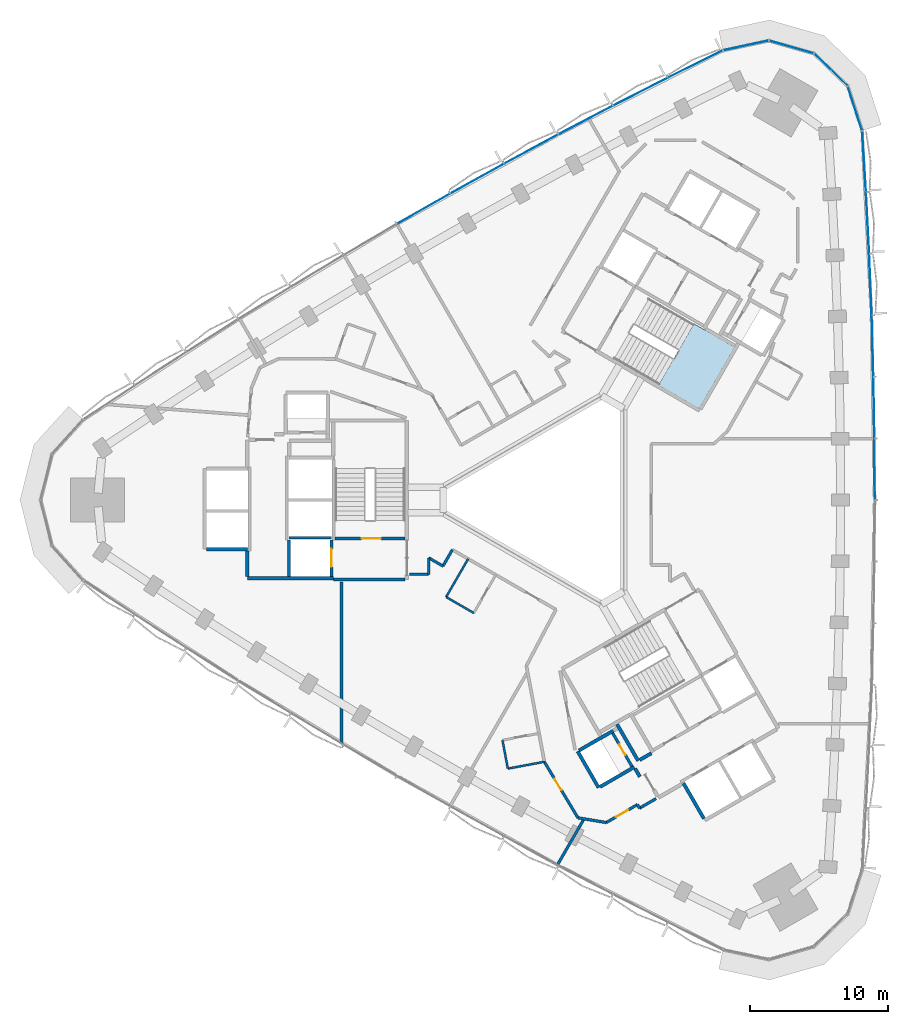
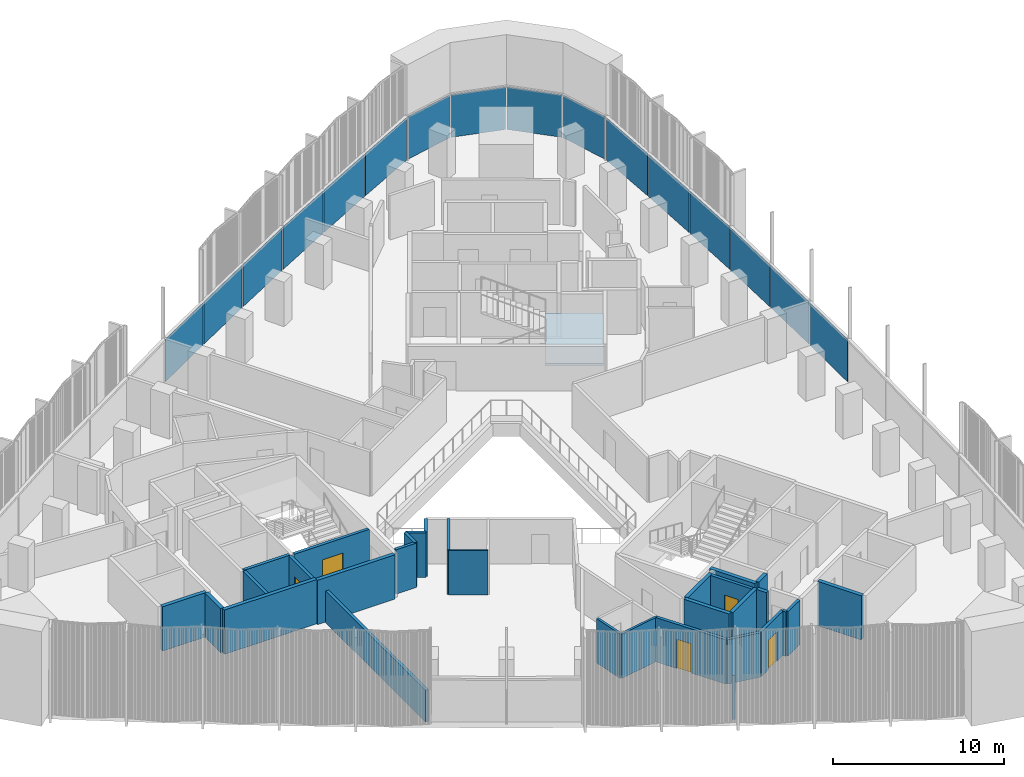
# One storey, part 7 of 15: 31 walls, 16 plates, 5 doors, 1 slab, 5 openings, 3 elements without a shape of their own.
"""IFC4 building model written with IfcOpenShell, lengths in metres."""

from ifc_helpers import new_model, si_unit, direction, frame, frame_2d, origin, origin_2d, place, context, subcontext, project, spatial, polyline, rectangle, outline, extrude, material, layer, layer_set, type_object, element, fill, aggregate, save


model = new_model("IFC4")

# Units and contexts
model_context = context("Model", 3, precision=1e-05, world=origin(), true_north=direction((0.0, 1.0)))
body_context = subcontext(model_context, "Body", "Model", "MODEL_VIEW")
ifc_project = project(units=[si_unit("LENGTHUNIT", "METRE"), si_unit("AREAUNIT", "SQUARE_METRE"), si_unit("VOLUMEUNIT", "CUBIC_METRE"), si_unit("PLANEANGLEUNIT", "RADIAN"), si_unit("MASSUNIT", "GRAM", prefix="KILO")], contexts=[model_context])

# Site, building, storey
site_placement = place(None, origin())
site = spatial("IfcSite", under=ifc_project, at=site_placement, CompositionType="ELEMENT")
building_placement = place(site_placement, origin())
building = spatial("IfcBuilding", under=site, at=building_placement, Name="Tamra Quay Hotel Tower", CompositionType="ELEMENT")
storey_placement = place(building_placement, frame((0.0, 0.0, 101.0)))
storey = spatial("IfcBuildingStorey", under=building, at=storey_placement, Name="L24", CompositionType="ELEMENT", Elevation=101.0)

# Stair, slab
ifc_material_1 = material(Name="Exit stair 2200 24 risers 150.0 going 342")
stair_type = type_object("IfcStairType", Name="Exit stair 2200 24 risers 150.0 going 342", PredefinedType="HALF_TURN_STAIR", material=ifc_material_1)
stair_placement = place(storey_placement, origin())
stair = element("IfcStair", 1, at=stair_placement, inside=storey, type_object=stair_type, Name="L24 Exit stair ST1", PredefinedType="HALF_TURN_STAIR")
ifc_material_2 = material(Name="Concrete M70", Category="concrete")
ifc_layer_1 = layer(ifc_material_2, 0.175048828125)
ifc_layer_set_1 = layer_set([ifc_layer_1], Name="Concrete M70 stair landing 180")
slab_type = type_object("IfcSlabType", Name="Concrete M70 stair landing 180", PredefinedType="LANDING", material=ifc_layer_set_1)
slab_placement = place(storey_placement, frame((0.0, 0.0, 1.625)))
slab = element("IfcSlab", 2, at=slab_placement, type_object=slab_type, Name="ST1 landing 1", PredefinedType="LANDING", context=body_context, shape_type="SweptSolid", body=[
    extrude(outline(polyline([(7.425048828125, 8.336669921875), (10.385009765625, 6.627685546875), (12.964599609375, 11.095458984375), (10.00439453125, 12.804443359375), (7.425048828125, 8.336669921875)])), origin(), (0.0, 0.0, 1.0), 0.175048828125),
])
aggregate(stair, [slab])

# Curtain wall, plates
ifc_material_3 = material(Name="Aluminium 6063 anodised dark grey", Category="aluminium")
curtain_wall_type_1 = type_object("IfcCurtainWallType", Name="CW1 CURTAIN WALL", PredefinedType="NOTDEFINED", material=ifc_material_3)
curtain_wall_1_placement = place(storey_placement, origin())
curtain_wall_1 = element("IfcCurtainWall", 3, at=curtain_wall_1_placement, inside=storey, type_object=curtain_wall_type_1, Name="CW1 east face L24", PredefinedType="NOTDEFINED")
ifc_material_4 = material(Name="Glass clear laminated low-iron", Category="glass")
ifc_layer_2 = layer(ifc_material_4, 0.033935546875)
ifc_layer_set_2 = layer_set([ifc_layer_2], Name="GLASS PANEL CW1 Z2")
plate_type_1 = type_object("IfcPlateType", Name="GLASS PANEL CW1 Z2", PredefinedType="CURTAIN_PANEL", material=ifc_layer_set_2)
plate_1_placement = place(storey_placement, frame((23.132080078125, 2.236572265625, 0.0), z_axis=(0.0, 0.0, 1.0), x_axis=(-0.00571269185, 0.999983682443, 0.0)))
plate_1 = element("IfcPlate", 4, at=plate_1_placement, type_object=plate_type_1, Name="CW1 glass L24.E.7", PredefinedType="CURTAIN_PANEL", context=body_context, shape_type="SweptSolid", body=[
    extrude(rectangle(XDim=4.373291015625, YDim=0.033935546875, at=origin_2d()), origin(), (0.0, 0.0, 1.0), 3.034912109375),
])
plate_2_placement = place(storey_placement, frame((23.080810546875, 6.70947265625, 0.0), z_axis=(0.0, 0.0, 1.0), x_axis=(-0.017133948461, 0.99985320313, 0.0)))
plate_2 = element("IfcPlate", 5, at=plate_2_placement, type_object=plate_type_1, Name="CW1 glass L24.E.8", PredefinedType="CURTAIN_PANEL", context=body_context, shape_type="SweptSolid", body=[
    extrude(rectangle(XDim=4.373291015625, YDim=0.033935546875, at=origin_2d()), origin(), (0.0, 0.0, 1.0), 3.034912109375),
])
plate_3_placement = place(storey_placement, frame((22.978759765625, 11.181396484375, 0.0), z_axis=(0.0, 0.0, 1.0), x_axis=(-0.028546324212, 0.999592470647, 0.0)))
plate_3 = element("IfcPlate", 6, at=plate_3_placement, type_object=plate_type_1, Name="CW1 glass L24.E.9", PredefinedType="CURTAIN_PANEL", context=body_context, shape_type="SweptSolid", body=[
    extrude(rectangle(XDim=4.373291015625, YDim=0.033935546875, at=origin_2d()), origin(), (0.0, 0.0, 1.0), 3.034912109375),
])
plate_4_placement = place(storey_placement, frame((22.825439453125, 15.652099609375, 0.0), z_axis=(0.0, 0.0, 1.0), x_axis=(-0.039943885581, 0.99920192454, 0.0)))
plate_4 = element("IfcPlate", 7, at=plate_4_placement, type_object=plate_type_1, Name="CW1 glass L24.E.10", PredefinedType="CURTAIN_PANEL", context=body_context, shape_type="SweptSolid", body=[
    extrude(rectangle(XDim=4.373291015625, YDim=0.033935546875, at=origin_2d()), origin(), (0.0, 0.0, 1.0), 3.034912109375),
])
plate_5_placement = place(storey_placement, frame((22.621337890625, 20.12060546875, 0.0), z_axis=(0.0, 0.0, 1.0), x_axis=(-0.051320736558, 0.998682222731, 0.0)))
plate_5 = element("IfcPlate", 8, at=plate_5_placement, type_object=plate_type_1, Name="CW1 glass L24.E.11", PredefinedType="CURTAIN_PANEL", context=body_context, shape_type="SweptSolid", body=[
    extrude(rectangle(XDim=4.373291015625, YDim=0.033935546875, at=origin_2d()), origin(), (0.0, 0.0, 1.0), 3.034912109375),
])
plate_6_placement = place(storey_placement, frame((22.366455078125, 24.5859375, 0.0), z_axis=(0.0, 0.0, 1.0), x_axis=(-0.062669917068, 0.998034308776, 0.0)))
plate_6 = element("IfcPlate", 9, at=plate_6_placement, type_object=plate_type_1, Name="CW1 glass L24.E.12", PredefinedType="CURTAIN_PANEL", context=body_context, shape_type="SweptSolid", body=[
    extrude(rectangle(XDim=4.372314453125, YDim=0.033935546875, at=origin_2d()), origin(), (0.0, 0.0, 1.0), 3.034912109375),
])
plate_7_placement = place(storey_placement, frame((21.70166015625, 28.43994140625, 0.0), z_axis=(0.0, 0.0, 1.0), x_axis=(-0.307790863622, 0.951454036867, 0.0)))
plate_7 = element("IfcPlate", 10, at=plate_7_placement, type_object=plate_type_1, Name="CW1 glass L24.E.13", PredefinedType="CURTAIN_PANEL", context=body_context, shape_type="SweptSolid", body=[
    extrude(rectangle(XDim=3.31005859375, YDim=0.033935546875, at=origin_2d()), origin(), (0.0, 0.0, 1.0), 3.034912109375),
])
plate_8_placement = place(storey_placement, frame((19.95068359375, 31.247314453125, 0.0), z_axis=(0.0, 0.0, 1.0), x_axis=(-0.71904127153, 0.694967373217, 0.0)))
plate_8 = element("IfcPlate", 11, at=plate_8_placement, type_object=plate_type_1, Name="CW1 glass L24.E.14", PredefinedType="CURTAIN_PANEL", context=body_context, shape_type="SweptSolid", body=[
    extrude(rectangle(XDim=3.31005859375, YDim=0.033935546875, at=origin_2d()), origin(), (0.0, 0.0, 1.0), 3.034912109375),
])
plate_9_placement = place(storey_placement, frame((17.08544921875, 32.9013671875, 0.0), z_axis=(0.0, 0.0, 1.0), x_axis=(-0.961380035772, 0.275224320906, 0.0)))
plate_9 = element("IfcPlate", 12, at=plate_9_placement, type_object=plate_type_1, Name="CW1 glass L24.E.15", PredefinedType="CURTAIN_PANEL", context=body_context, shape_type="SweptSolid", body=[
    extrude(rectangle(XDim=3.31005859375, YDim=0.033935546875, at=origin_2d()), origin(), (0.0, 0.0, 1.0), 3.034912109375),
])
plate_10_placement = place(storey_placement, frame((13.779052734375, 33.01416015625, 0.0), z_axis=(0.0, 0.0, 1.0), x_axis=(-0.977878798271, -0.209172311484, 0.0)))
plate_10 = element("IfcPlate", 13, at=plate_10_placement, type_object=plate_type_1, Name="CW1 glass L24.E.16", PredefinedType="CURTAIN_PANEL", context=body_context, shape_type="SweptSolid", body=[
    extrude(rectangle(XDim=3.31005859375, YDim=0.033935546875, at=origin_2d()), origin(), (0.0, 0.0, 1.0), 3.034912109375),
])
aggregate(curtain_wall_1, [plate_1, plate_2, plate_3, plate_4, plate_5, plate_6, plate_7, plate_8, plate_9, plate_10])

curtain_wall_type_2 = type_object("IfcCurtainWallType", Name="CW2 CURTAIN WALL", PredefinedType="NOTDEFINED", material=ifc_material_3)
curtain_wall_2_placement = place(storey_placement, origin())
curtain_wall_2 = element("IfcCurtainWall", 14, at=curtain_wall_2_placement, inside=storey, type_object=curtain_wall_type_2, Name="CW2 north-west face L24", PredefinedType="NOTDEFINED")
ifc_layer_3 = layer(ifc_material_4, 0.033935546875)
ifc_layer_set_3 = layer_set([ifc_layer_3], Name="GLASS PANEL CW2 Z2")
plate_type_2 = type_object("IfcPlateType", Name="GLASS PANEL CW2 Z2", PredefinedType="CURTAIN_PANEL", material=ifc_layer_set_3)
plate_11_placement = place(storey_placement, frame((10.10888671875, 31.662841796875, 0.0), z_axis=(0.0, 0.0, 1.0), x_axis=(-0.895658023783, -0.444743414154, 0.0)))
plate_11 = element("IfcPlate", 15, at=plate_11_placement, type_object=plate_type_2, Name="CW2 glass L24.NW.1", PredefinedType="CURTAIN_PANEL", context=body_context, shape_type="SweptSolid", body=[
    extrude(rectangle(XDim=4.372314453125, YDim=0.033935546875, at=origin_2d()), origin(), (0.0, 0.0, 1.0), 3.034912109375),
])
plate_12_placement = place(storey_placement, frame((6.1142578125, 29.65087890625, 0.0), z_axis=(0.0, 0.0, 1.0), x_axis=(-0.890544543472, -0.454896049765, 0.0)))
plate_12 = element("IfcPlate", 16, at=plate_12_placement, type_object=plate_type_2, Name="CW2 glass L24.NW.2", PredefinedType="CURTAIN_PANEL", context=body_context, shape_type="SweptSolid", body=[
    extrude(rectangle(XDim=4.373291015625, YDim=0.033935546875, at=origin_2d()), origin(), (0.0, 0.0, 1.0), 3.034912109375),
])
plate_13_placement = place(storey_placement, frame((2.142333984375, 27.593505859375, 0.0), z_axis=(0.0, 0.0, 1.0), x_axis=(-0.885306192952, -0.465008542631, 0.0)))
plate_13 = element("IfcPlate", 17, at=plate_13_placement, type_object=plate_type_2, Name="CW2 glass L24.NW.3", PredefinedType="CURTAIN_PANEL", context=body_context, shape_type="SweptSolid", body=[
    extrude(rectangle(XDim=4.373291015625, YDim=0.033935546875, at=origin_2d()), origin(), (0.0, 0.0, 1.0), 3.034912109375),
])
plate_14_placement = place(storey_placement, frame((-1.805908203125, 25.490966796875, 0.0), z_axis=(0.0, 0.0, 1.0), x_axis=(-0.879945635118, -0.475074393371, 0.0)))
plate_14 = element("IfcPlate", 18, at=plate_14_placement, type_object=plate_type_2, Name="CW2 glass L24.NW.4", PredefinedType="CURTAIN_PANEL", context=body_context, shape_type="SweptSolid", body=[
    extrude(rectangle(XDim=4.373291015625, YDim=0.033935546875, at=origin_2d()), origin(), (0.0, 0.0, 1.0), 3.034912109375),
])
plate_15_placement = place(storey_placement, frame((-5.729736328125, 23.34326171875, 0.0), z_axis=(0.0, 0.0, 1.0), x_axis=(-0.874465248197, -0.485088166931, 0.0)))
plate_15 = element("IfcPlate", 19, at=plate_15_placement, type_object=plate_type_2, Name="CW2 glass L24.NW.5", PredefinedType="CURTAIN_PANEL", context=body_context, shape_type="SweptSolid", body=[
    extrude(rectangle(XDim=4.373291015625, YDim=0.033935546875, at=origin_2d()), origin(), (0.0, 0.0, 1.0), 3.034912109375),
])
plate_16_placement = place(storey_placement, frame((-9.629150390625, 21.151123046875, 0.0), z_axis=(0.0, 0.0, 1.0), x_axis=(-0.86886761829, -0.495044504955, 0.0)))
plate_16 = element("IfcPlate", 20, at=plate_16_placement, type_object=plate_type_2, Name="CW2 glass L24.NW.6", PredefinedType="CURTAIN_PANEL", context=body_context, shape_type="SweptSolid", body=[
    extrude(rectangle(XDim=4.373291015625, YDim=0.033935546875, at=origin_2d()), origin(), (0.0, 0.0, 1.0), 3.034912109375),
])
aggregate(curtain_wall_2, [plate_11, plate_12, plate_13, plate_14, plate_15, plate_16])

# Wall, opening, door
ifc_layer_4 = layer(ifc_material_2, 0.199951171875)
ifc_layer_set_4 = layer_set([ifc_layer_4], Name="Concrete M70 core wall 200")
wall_type_1 = type_object("IfcWallType", Name="Concrete M70 core wall 200", PredefinedType="SHEAR", material=ifc_layer_set_4)
wall_1_placement = place(storey_placement, frame((-10.96337890625, -2.800048828125, 0.0), z_axis=(0.0, 0.0, 1.0), x_axis=(-1.0, 0.0, 0.0)))
wall_1 = element("IfcWall", 21, at=wall_1_placement, inside=storey, type_object=wall_type_1, Name="CW2", PredefinedType="SHEAR", context=body_context, shape_type="SweptSolid", body=[
    extrude(rectangle(XDim=5.097900390625, YDim=0.199951171875, at=frame_2d((2.548828125, 0.0))), origin(), (0.0, 0.0, 1.0), 3.175048828125),
])
opening_1_placement = place(wall_1_placement, frame((1.77392578125, 0.0, 0.0)))
opening_1 = element("IfcOpeningElement", 22, at=opening_1_placement, cuts=wall_1, Name="Opening FD2", PredefinedType="OPENING", context=body_context, shape_type="SweptSolid", body=[
    extrude(rectangle(XDim=1.39990234375, YDim=2.10009765625, at=frame_2d((0.699951171875, 1.050048828125))), frame((0.0, 0.10986328125, 0.0), z_axis=(0.0, -1.0, 0.0), x_axis=(1.0, 0.0, 0.0)), (0.0, 0.0, 1.0), 0.219970703125),
])
ifc_material_5 = material(Name="Core door FD2 1400x2100 LH")
door_type_1 = type_object("IfcDoorType", Name="Core door FD2 1400x2100 LH", OperationType="NOTDEFINED", PredefinedType="DOOR", material=ifc_material_5)
door_1_placement = place(opening_1_placement, origin())
door_1 = element("IfcDoor", 23, at=door_1_placement, inside=storey, type_object=door_type_1, Name="FD2", OperationType="SINGLE_SWING_LEFT", OverallHeight=2.10009765625, OverallWidth=1.39990234375, PredefinedType="DOOR", context=body_context, shape_type="SweptSolid", body=[
    extrude(rectangle(XDim=1.39990234375, YDim=2.10009765625, at=frame_2d((0.699951171875, 1.050048828125))), frame((0.0, 0.02490234375, 0.0), z_axis=(0.0, -1.0, 0.0), x_axis=(1.0, 0.0, 0.0)), (0.0, 0.0, 1.0), 0.050048828125),
])
fill(opening_1, door_1)

# Wall
wall_2_placement = place(storey_placement, frame((-19.412353515625, -2.75, 0.0), z_axis=(0.0, 0.0, 1.0), x_axis=(1.0, 0.0, 0.0)))
element("IfcWall", 24, at=wall_2_placement, inside=storey, type_object=wall_type_1, Name="CW2", PredefinedType="SHEAR", context=body_context, shape_type="SweptSolid", body=[
    extrude(rectangle(XDim=3.10009765625, YDim=0.199951171875, at=frame_2d((1.550048828125, 0.0))), origin(), (0.0, 0.0, 1.0), 3.175048828125),
])

# Wall, opening, door
wall_3_placement = place(storey_placement, frame((-16.312255859375, -2.898193359375, 0.0), z_axis=(0.0, 0.0, 1.0), x_axis=(0.0, -1.0, 0.0)))
wall_3 = element("IfcWall", 25, at=wall_3_placement, inside=storey, type_object=wall_type_1, Name="CW2", PredefinedType="SHEAR", context=body_context, shape_type="SweptSolid", body=[
    extrude(rectangle(XDim=2.65087890625, YDim=0.199951171875, at=frame_2d((1.325439453125, 0.0))), origin(), (0.0, 0.0, 1.0), 3.175048828125),
])
opening_2_placement = place(wall_3_placement, frame((0.65185546875, 0.0, 0.0)))
opening_2 = element("IfcOpeningElement", 26, at=opening_2_placement, cuts=wall_3, Name="Opening LD", PredefinedType="OPENING", context=body_context, shape_type="SweptSolid", body=[
    extrude(rectangle(XDim=1.300048828125, YDim=2.10009765625, at=frame_2d((0.64990234375, 1.050048828125))), frame((0.0, 0.10986328125, 0.0), z_axis=(0.0, -1.0, 0.0), x_axis=(1.0, 0.0, 0.0)), (0.0, 0.0, 1.0), 0.219970703125),
])
ifc_material_6 = material(Name="Landing door LD 1300 sliding to left")
door_type_2 = type_object("IfcDoorType", Name="Landing door LD 1300 sliding to left", OperationType="NOTDEFINED", PredefinedType="DOOR", material=ifc_material_6)
door_2_placement = place(opening_2_placement, origin())
door_2 = element("IfcDoor", 27, at=door_2_placement, inside=storey, type_object=door_type_2, Name="LD", OperationType="SLIDING_TO_LEFT", OverallHeight=2.10009765625, OverallWidth=1.300048828125, PredefinedType="DOOR", context=body_context, shape_type="SweptSolid", body=[
    extrude(rectangle(XDim=1.300048828125, YDim=2.10009765625, at=frame_2d((0.64990234375, 1.050048828125))), frame((0.0, 0.02490234375, 0.0), z_axis=(0.0, -1.0, 0.0), x_axis=(1.0, 0.0, 0.0)), (0.0, 0.0, 1.0), 0.050048828125),
])
fill(opening_2, door_2)

# Wall
wall_4_placement = place(storey_placement, frame((-19.412353515625, -5.549072265625, 0.0), z_axis=(0.0, 0.0, 1.0), x_axis=(0.0, 1.0, 0.0)))
element("IfcWall", 28, at=wall_4_placement, inside=storey, type_object=wall_type_1, Name="CW2", PredefinedType="SHEAR", context=body_context, shape_type="SweptSolid", body=[
    extrude(rectangle(XDim=2.65087890625, YDim=0.199951171875, at=frame_2d((1.325439453125, 0.0))), origin(), (0.0, 0.0, 1.0), 3.175048828125),
])

# Wall, opening, door
wall_5_placement = place(storey_placement, frame((5.50341796875, -19.352294921875, 0.0), z_axis=(0.0, 0.0, 1.0), x_axis=(-0.499986818241, 0.866033014143, 0.0)))
wall_5 = element("IfcWall", 29, at=wall_5_placement, inside=storey, type_object=wall_type_1, Name="CW2", PredefinedType="SHEAR", context=body_context, shape_type="SweptSolid", body=[
    extrude(rectangle(XDim=2.7978515625, YDim=0.199951171875, at=frame_2d((1.39892578125, 0.0))), origin(), (0.0, 0.0, 1.0), 3.175048828125),
])
opening_3_placement = place(wall_5_placement, frame((0.948974609375, 0.0, 0.0)))
opening_3 = element("IfcOpeningElement", 30, at=opening_3_placement, cuts=wall_5, Name="Opening D1", PredefinedType="OPENING", context=body_context, shape_type="SweptSolid", body=[
    extrude(rectangle(XDim=0.89990234375, YDim=2.10009765625, at=frame_2d((0.449951171875, 1.050048828125))), frame((0.0, 0.10986328125, 0.0), z_axis=(0.0, -1.0, 0.0), x_axis=(1.0, 0.0, 0.0)), (0.0, 0.0, 1.0), 0.219970703125),
])
ifc_material_7 = material(Name="Core door D1 900x2100 LH")
door_type_3 = type_object("IfcDoorType", Name="Core door D1 900x2100 LH", OperationType="NOTDEFINED", PredefinedType="DOOR", material=ifc_material_7)
door_3_placement = place(opening_3_placement, origin())
door_3 = element("IfcDoor", 31, at=door_3_placement, inside=storey, type_object=door_type_3, Name="D1", OperationType="SINGLE_SWING_LEFT", OverallHeight=2.10009765625, OverallWidth=0.89990234375, PredefinedType="DOOR", context=body_context, shape_type="SweptSolid", body=[
    extrude(rectangle(XDim=0.89990234375, YDim=2.10009765625, at=frame_2d((0.449951171875, 1.050048828125))), frame((0.0, 0.02490234375, 0.0), z_axis=(0.0, -1.0, 0.0), x_axis=(1.0, 0.0, 0.0)), (0.0, 0.0, 1.0), 0.050048828125),
])
fill(opening_3, door_3)

# Walls
ifc_layer_5 = layer(ifc_material_2, 0.25)
ifc_layer_set_5 = layer_set([ifc_layer_5], Name="Concrete M70 core wall 250")
wall_type_2 = type_object("IfcWallType", Name="Concrete M70 core wall 250", PredefinedType="SHEAR", material=ifc_layer_set_5)
wall_6_placement = place(storey_placement, frame((-16.187255859375, -5.675048828125, 0.0), z_axis=(0.0, 0.0, 1.0), x_axis=(-1.0, 0.0, 0.0)))
element("IfcWall", 32, at=wall_6_placement, inside=storey, type_object=wall_type_2, Name="CW1", PredefinedType="SHEAR", context=body_context, shape_type="SweptSolid", body=[
    extrude(rectangle(XDim=6.25, YDim=0.25, at=frame_2d((3.125, 0.0))), origin(), (0.0, 0.0, 1.0), 3.175048828125),
])
wall_7_placement = place(storey_placement, frame((-10.962646484375, -5.77490234375, 0.0), z_axis=(0.0, 0.0, 1.0), x_axis=(-1.0, 0.0, 0.0)))
element("IfcWall", 33, at=wall_7_placement, inside=storey, type_object=wall_type_2, Name="CW1", PredefinedType="SHEAR", context=body_context, shape_type="SweptSolid", body=[
    extrude(rectangle(XDim=5.224609375, YDim=0.25, at=frame_2d((2.6123046875, 0.0))), origin(), (0.0, 0.0, 1.0), 3.175048828125),
])
wall_8_placement = place(storey_placement, frame((-22.437255859375, -3.574951171875, 0.0), z_axis=(0.0, 0.0, 1.0), x_axis=(-1.0, 0.0, 0.0)))
element("IfcWall", 34, at=wall_8_placement, inside=storey, type_object=wall_type_2, Name="CW1", PredefinedType="SHEAR", context=body_context, shape_type="SweptSolid", body=[
    extrude(rectangle(XDim=2.974609375, YDim=0.25, at=frame_2d((1.4873046875, 0.0))), origin(), (0.0, 0.0, 1.0), 3.175048828125),
])
wall_9_placement = place(storey_placement, frame((-22.437255859375, -5.549560546875, 0.0), z_axis=(0.0, 0.0, 1.0), x_axis=(0.0, 1.0, 0.0)))
element("IfcWall", 35, at=wall_9_placement, inside=storey, type_object=wall_type_2, Name="CW1", PredefinedType="SHEAR", context=body_context, shape_type="SweptSolid", body=[
    extrude(rectangle(XDim=1.84912109375, YDim=0.25, at=frame_2d((0.924560546875, 0.0))), origin(), (0.0, 0.0, 1.0), 3.175048828125),
])
wall_10_placement = place(storey_placement, frame((10.73583984375, -23.144775390625, 0.0), z_axis=(0.0, 0.0, 1.0), x_axis=(-0.500023226632, 0.866011993467, 0.0)))
element("IfcWall", 36, at=wall_10_placement, inside=storey, type_object=wall_type_2, Name="CW1", PredefinedType="SHEAR", context=body_context, shape_type="SweptSolid", body=[
    extrude(rectangle(XDim=2.974365234375, YDim=0.25, at=frame_2d((1.4873046875, 0.0))), origin(), (0.0, 0.0, 1.0), 3.175048828125),
])
wall_11_placement = place(storey_placement, frame((3.085205078125, -20.893798828125, 0.0), z_axis=(0.0, 0.0, 1.0), x_axis=(-0.499978833458, 0.866037623948, 0.0)))
element("IfcWall", 37, at=wall_11_placement, inside=storey, type_object=wall_type_2, Name="CW1", PredefinedType="SHEAR", context=body_context, shape_type="SweptSolid", body=[
    extrude(rectangle(XDim=3.050048828125, YDim=0.25, at=frame_2d((1.52490234375, 0.0))), origin(), (0.0, 0.0, 1.0), 3.175048828125),
])
wall_12_placement = place(storey_placement, frame((1.6689453125, -18.189697265625, 0.0), z_axis=(0.0, 0.0, 1.0), x_axis=(0.866042235819, 0.499970844928, 0.0)))
element("IfcWall", 38, at=wall_12_placement, inside=storey, type_object=wall_type_2, Name="CW1", PredefinedType="SHEAR", context=body_context, shape_type="SweptSolid", body=[
    extrude(rectangle(XDim=2.864501953125, YDim=0.25, at=frame_2d((1.43212890625, 0.0))), origin(), (0.0, 0.0, 1.0), 3.175048828125),
])
wall_13_placement = place(storey_placement, frame((5.6748046875, -19.39892578125, 0.0), z_axis=(0.0, 0.0, 1.0), x_axis=(-0.866026637627, -0.499997862916, 0.0)))
element("IfcWall", 39, at=wall_13_placement, inside=storey, type_object=wall_type_2, Name="CW1", PredefinedType="SHEAR", context=body_context, shape_type="SweptSolid", body=[
    extrude(rectangle(XDim=2.86474609375, YDim=0.25, at=frame_2d((1.432373046875, 0.0))), origin(), (0.0, 0.0, 1.0), 3.175048828125),
])
wall_14_placement = place(storey_placement, frame((4.414306640625, -16.275634765625, 0.0), z_axis=(0.0, 0.0, 1.0), x_axis=(0.500003324108, -0.866023484601, 0.0)))
element("IfcWall", 40, at=wall_14_placement, inside=storey, type_object=wall_type_2, Name="CW1", PredefinedType="SHEAR", context=body_context, shape_type="SweptSolid", body=[
    extrude(rectangle(XDim=3.0849609375, YDim=0.25, at=frame_2d((1.54248046875, 0.0))), origin(), (0.0, 0.0, 1.0), 3.175048828125),
])
wall_15_placement = place(storey_placement, frame((6.0654296875, -18.884765625, 0.0), z_axis=(0.0, 0.0, 1.0), x_axis=(0.866017078145, 0.500014420154, 0.0)))
element("IfcWall", 41, at=wall_15_placement, inside=storey, type_object=wall_type_2, Name="CW1", PredefinedType="SHEAR", context=body_context, shape_type="SweptSolid", body=[
    extrude(rectangle(XDim=0.9892578125, YDim=0.25, at=frame_2d((0.49462890625, 0.0))), origin(), (0.0, 0.0, 1.0), 3.175048828125),
])
wall_16_placement = place(storey_placement, frame((6.07958984375, -20.100341796875, 0.0), z_axis=(0.0, 0.0, 1.0), x_axis=(-0.500051773299, 0.865995510393, 0.0)))
element("IfcWall", 42, at=wall_16_placement, inside=storey, type_object=wall_type_2, Name="CW1", PredefinedType="SHEAR", context=body_context, shape_type="SweptSolid", body=[
    extrude(rectangle(XDim=0.6845703125, YDim=0.25, at=frame_2d((0.34228515625, 0.0))), origin(), (0.0, 0.0, 1.0), 3.175048828125),
])
ifc_material_8 = material(Name="Partition corridor wall")
ifc_layer_6 = layer(ifc_material_8, 0.199951171875)
ifc_layer_set_6 = layer_set([ifc_layer_6], Name="Partition corridor wall")
wall_type_3 = type_object("IfcWallType", Name="Partition corridor wall", PredefinedType="PARTITIONING", material=ifc_layer_set_6)
wall_17_placement = place(storey_placement, frame((-10.65234375, -5.39990234375, 0.0), z_axis=(0.0, 0.0, 1.0), x_axis=(1.0, 0.0, 0.0)))
element("IfcWall", 43, at=wall_17_placement, inside=storey, type_object=wall_type_3, Name="W-C", PredefinedType="PARTITIONING", context=body_context, shape_type="SweptSolid", body=[
    extrude(rectangle(XDim=1.390380859375, YDim=0.199951171875, at=frame_2d((0.6953125, 0.0))), origin(), (0.0, 0.0, 1.0), 3.175048828125),
])
for number, where, z_axis, x_axis, name in (
    (44, (-9.261962890625, -5.39990234375, 0.0), (0.0, 0.0, 1.0), (0.0, 1.0, 0.0), "W-C"),
    (45, (-9.261962890625, -4.199951171875, 0.0), (0.0, 0.0, 1.0), (0.865955154139, -0.50012165622, 0.0), "W-C"),
):
    element("IfcWall", number, at=place(storey_placement, frame(where, z_axis=z_axis, x_axis=x_axis)), inside=storey, type_object=wall_type_3, Name=name, PredefinedType="PARTITIONING", context=body_context, shape_type="SweptSolid", body=[
        extrude(rectangle(XDim=1.199951171875, YDim=0.199951171875, at=frame_2d((0.60009765625, 0.0))), origin(), (0.0, 0.0, 1.0), 3.175048828125),
    ])
wall_18_placement = place(storey_placement, frame((-8.222900390625, -4.800048828125, 0.0), z_axis=(0.0, 0.0, 1.0), x_axis=(0.499804837697, 0.866138051476, 0.0)))
element("IfcWall", 46, at=wall_18_placement, inside=storey, type_object=wall_type_3, Name="W-C", PredefinedType="PARTITIONING", context=body_context, shape_type="SweptSolid", body=[
    extrude(rectangle(XDim=1.3681640625, YDim=0.199951171875, at=frame_2d((0.68408203125, 0.0))), origin(), (0.0, 0.0, 1.0), 3.175048828125),
])

# Wall, opening, door
wall_19_placement = place(storey_placement, frame((-0.85791015625, -19.01708984375, 0.0), z_axis=(0.0, 0.0, 1.0), x_axis=(0.514586543775, -0.857438446167, 0.0)))
wall_19 = element("IfcWall", 47, at=wall_19_placement, inside=storey, type_object=wall_type_3, Name="W-C", PredefinedType="PARTITIONING", context=body_context, shape_type="SweptSolid", body=[
    extrude(rectangle(XDim=4.745361328125, YDim=0.199951171875, at=frame_2d((2.37255859375, 0.0))), origin(), (0.0, 0.0, 1.0), 3.175048828125),
])
opening_4_placement = place(wall_19_placement, frame((1.445556640625, 0.0, 0.0)))
opening_4 = element("IfcOpeningElement", 48, at=opening_4_placement, cuts=wall_19, Name="Opening L24-D016", PredefinedType="OPENING", context=body_context, shape_type="SweptSolid", body=[
    extrude(rectangle(XDim=0.949951171875, YDim=2.10009765625, at=frame_2d((0.47509765625, 1.050048828125))), frame((0.0, 0.10986328125, 0.0), z_axis=(0.0, -1.0, 0.0), x_axis=(1.0, 0.0, 0.0)), (0.0, 0.0, 1.0), 0.219970703125),
])
ifc_material_9 = material(Name="Door guest room 950x2100")
door_type_4 = type_object("IfcDoorType", Name="Door guest room 950x2100", OperationType="NOTDEFINED", PredefinedType="DOOR", material=ifc_material_9)
door_4_placement = place(opening_4_placement, frame((0.949951171875, 0.0, 0.0), z_axis=(0.0, 0.0, 1.0), x_axis=(-1.0, 0.0, 0.0)))
door_4 = element("IfcDoor", 49, at=door_4_placement, inside=storey, type_object=door_type_4, Name="L24-D016", OperationType="SINGLE_SWING_LEFT", OverallHeight=2.10009765625, OverallWidth=0.949951171875, PredefinedType="DOOR", context=body_context, shape_type="SweptSolid", body=[
    extrude(rectangle(XDim=0.949951171875, YDim=2.10009765625, at=frame_2d((0.47509765625, 1.050048828125))), frame((0.0, 0.02490234375, 0.0), z_axis=(0.0, -1.0, 0.0), x_axis=(1.0, 0.0, 0.0)), (0.0, 0.0, 1.0), 0.050048828125),
])
fill(opening_4, door_4)

# Wall
wall_20_placement = place(storey_placement, frame((1.583984375, -23.0859375, 0.0), z_axis=(0.0, 0.0, 1.0), x_axis=(0.986516952697, -0.163659103145, 0.0)))
element("IfcWall", 50, at=wall_20_placement, inside=storey, type_object=wall_type_3, Name="W-C", PredefinedType="PARTITIONING", context=body_context, shape_type="SweptSolid", body=[
    extrude(rectangle(XDim=2.0869140625, YDim=0.199951171875, at=frame_2d((1.04345703125, 0.0))), origin(), (0.0, 0.0, 1.0), 3.175048828125),
])

# Wall, opening, door
wall_21_placement = place(storey_placement, frame((3.64306640625, -23.426025390625, 0.0), z_axis=(0.0, 0.0, 1.0), x_axis=(0.866654350985, 0.498909045738, 0.0)))
wall_21 = element("IfcWall", 51, at=wall_21_placement, inside=storey, type_object=wall_type_3, Name="W-C", PredefinedType="PARTITIONING", context=body_context, shape_type="SweptSolid", body=[
    extrude(rectangle(XDim=2.607666015625, YDim=0.199951171875, at=frame_2d((1.3037109375, 0.0))), origin(), (0.0, 0.0, 1.0), 3.175048828125),
])
opening_5_placement = place(wall_21_placement, frame((0.803955078125, 0.0, 0.0)))
opening_5 = element("IfcOpeningElement", 52, at=opening_5_placement, cuts=wall_21, Name="Opening L24-D018", PredefinedType="OPENING", context=body_context, shape_type="SweptSolid", body=[
    extrude(rectangle(XDim=1.0, YDim=2.10009765625, at=frame_2d((0.5, 1.050048828125))), frame((0.0, 0.10986328125, 0.0), z_axis=(0.0, -1.0, 0.0), x_axis=(1.0, 0.0, 0.0)), (0.0, 0.0, 1.0), 0.219970703125),
])
ifc_material_10 = material(Name="Door guest room 1000x2100")
door_type_5 = type_object("IfcDoorType", Name="Door guest room 1000x2100", OperationType="NOTDEFINED", PredefinedType="DOOR", material=ifc_material_10)
door_5_placement = place(opening_5_placement, frame((1.0, 0.0, 0.0), z_axis=(0.0, 0.0, 1.0), x_axis=(-1.0, 0.0, 0.0)))
door_5 = element("IfcDoor", 53, at=door_5_placement, inside=storey, type_object=door_type_5, Name="L24-D018", OperationType="SINGLE_SWING_LEFT", OverallHeight=2.10009765625, OverallWidth=1.0, PredefinedType="DOOR", context=body_context, shape_type="SweptSolid", body=[
    extrude(rectangle(XDim=1.0, YDim=2.10009765625, at=frame_2d((0.5, 1.050048828125))), frame((0.0, 0.02490234375, 0.0), z_axis=(0.0, -1.0, 0.0), x_axis=(1.0, 0.0, 0.0)), (0.0, 0.0, 1.0), 0.050048828125),
])
fill(opening_5, door_5)

# Walls
wall_22_placement = place(storey_placement, frame((6.053955078125, -22.385009765625, 0.0), z_axis=(0.0, 0.0, 1.0), x_axis=(0.86593101922, 0.500163443238, 0.0)))
element("IfcWall", 54, at=wall_22_placement, inside=storey, type_object=wall_type_3, Name="W-C", PredefinedType="PARTITIONING", context=body_context, shape_type="SweptSolid", body=[
    extrude(rectangle(XDim=1.3896484375, YDim=0.199951171875, at=frame_2d((0.69482421875, 0.0))), origin(), (0.0, 0.0, 1.0), 3.175048828125),
])
wall_23_placement = place(storey_placement, frame((5.903076171875, -22.125, 0.0), z_axis=(0.0, 0.0, 1.0), x_axis=(0.499464218792, -0.866334516308, 0.0)))
element("IfcWall", 55, at=wall_23_placement, inside=storey, type_object=wall_type_3, Name="W-C", PredefinedType="PARTITIONING", context=body_context, shape_type="SweptSolid", body=[
    extrude(rectangle(XDim=0.300048828125, YDim=0.199951171875, at=frame_2d((0.14990234375, 0.0))), origin(), (0.0, 0.0, 1.0), 3.175048828125),
])
ifc_material_11 = material(Name="Partition en-suite wall")
ifc_layer_7 = layer(ifc_material_11, 0.14990234375)
ifc_layer_set_7 = layer_set([ifc_layer_7], Name="Partition en-suite wall")
wall_type_4 = type_object("IfcWallType", Name="Partition en-suite wall", PredefinedType="PARTITIONING", material=ifc_layer_set_7)
wall_24_placement = place(storey_placement, frame((-7.991943359375, -7.044921875, 0.0), z_axis=(0.0, 0.0, 1.0), x_axis=(0.500039698392, 0.866002482694, 0.0)))
element("IfcWall", 56, at=wall_24_placement, inside=storey, type_object=wall_type_4, Name="W-E", PredefinedType="PARTITIONING", context=body_context, shape_type="SweptSolid", body=[
    extrude(rectangle(XDim=3.197509765625, YDim=0.14990234375, at=frame_2d((1.5986328125, 0.0))), origin(), (0.0, 0.0, 1.0), 3.175048828125),
])
wall_25_placement = place(storey_placement, frame((-7.989013671875, -7.050048828125, 0.0), z_axis=(0.0, 0.0, 1.0), x_axis=(0.866020424307, -0.500008624609, 0.0)))
element("IfcWall", 57, at=wall_25_placement, inside=storey, type_object=wall_type_4, Name="W-E", PredefinedType="PARTITIONING", context=body_context, shape_type="SweptSolid", body=[
    extrude(rectangle(XDim=2.31396484375, YDim=0.14990234375, at=frame_2d((1.156982421875, 0.0))), origin(), (0.0, 0.0, 1.0), 3.175048828125),
])
wall_26_placement = place(storey_placement, frame((-3.89794921875, -17.448974609375, 0.0), z_axis=(0.0, 0.0, 1.0), x_axis=(0.184161939084, -0.982895915239, 0.0)))
element("IfcWall", 58, at=wall_26_placement, inside=storey, type_object=wall_type_4, Name="W-E", PredefinedType="PARTITIONING", context=body_context, shape_type="SweptSolid", body=[
    extrude(rectangle(XDim=2.095947265625, YDim=0.14990234375, at=frame_2d((1.0478515625, 0.0))), origin(), (0.0, 0.0, 1.0), 3.175048828125),
])
wall_27_placement = place(storey_placement, frame((-3.510009765625, -19.510986328125, 0.0), z_axis=(0.0, 0.0, 1.0), x_axis=(0.982950973509, 0.183867842969, 0.0)))
element("IfcWall", 59, at=wall_27_placement, inside=storey, type_object=wall_type_4, Name="W-E", PredefinedType="PARTITIONING", context=body_context, shape_type="SweptSolid", body=[
    extrude(rectangle(XDim=2.697998046875, YDim=0.14990234375, at=frame_2d((1.34912109375, 0.0))), origin(), (0.0, 0.0, 1.0), 3.175048828125),
])
ifc_material_12 = material(Name="Partition party wall")
ifc_layer_8 = layer(ifc_material_12, 0.199951171875)
ifc_layer_set_8 = layer_set([ifc_layer_8], Name="Partition party wall")
wall_type_5 = type_object("IfcWallType", Name="Partition party wall", PredefinedType="PARTITIONING", material=ifc_layer_set_8)
wall_28_placement = place(storey_placement, frame((-15.5869140625, -17.68798828125, 0.0), z_axis=(0.0, 0.0, 1.0), x_axis=(0.0, 1.0, 0.0)))
element("IfcWall", 60, at=wall_28_placement, inside=storey, type_object=wall_type_5, Name="W-P", PredefinedType="PARTITIONING", context=body_context, shape_type="SweptSolid", body=[
    extrude(rectangle(XDim=11.72802734375, YDim=0.199951171875, at=frame_2d((5.864013671875, 0.0))), origin(), (0.0, 0.0, 1.0), 2.27490234375),
])
wall_29_placement = place(storey_placement, frame((0.090087890625, -26.5087890625, 0.0), z_axis=(0.0, 0.0, 1.0), x_axis=(0.499961037585, 0.866047897577, 0.0)))
element("IfcWall", 61, at=wall_29_placement, inside=storey, type_object=wall_type_5, Name="W-P", PredefinedType="PARTITIONING", context=body_context, shape_type="SweptSolid", body=[
    extrude(rectangle(XDim=3.867919921875, YDim=0.199951171875, at=frame_2d((1.93408203125, 0.0))), origin(), (0.0, 0.0, 1.0), 3.175048828125),
])

save(model, "model.ifc")
